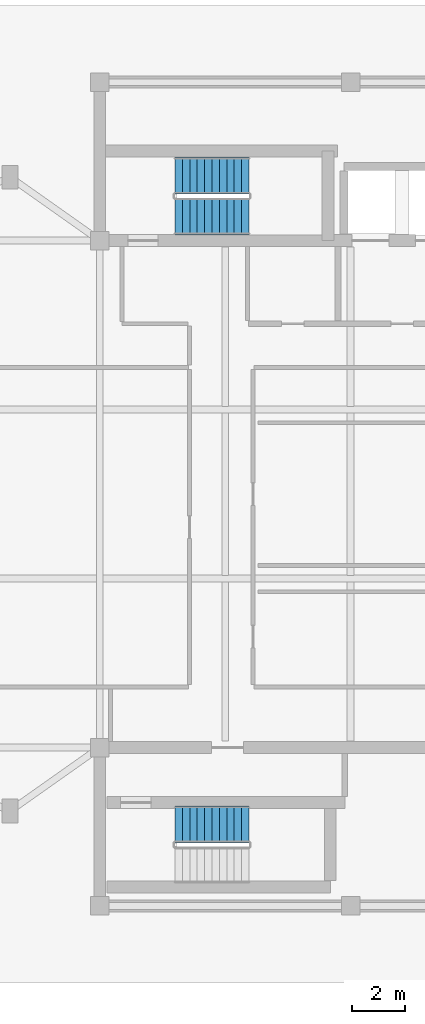
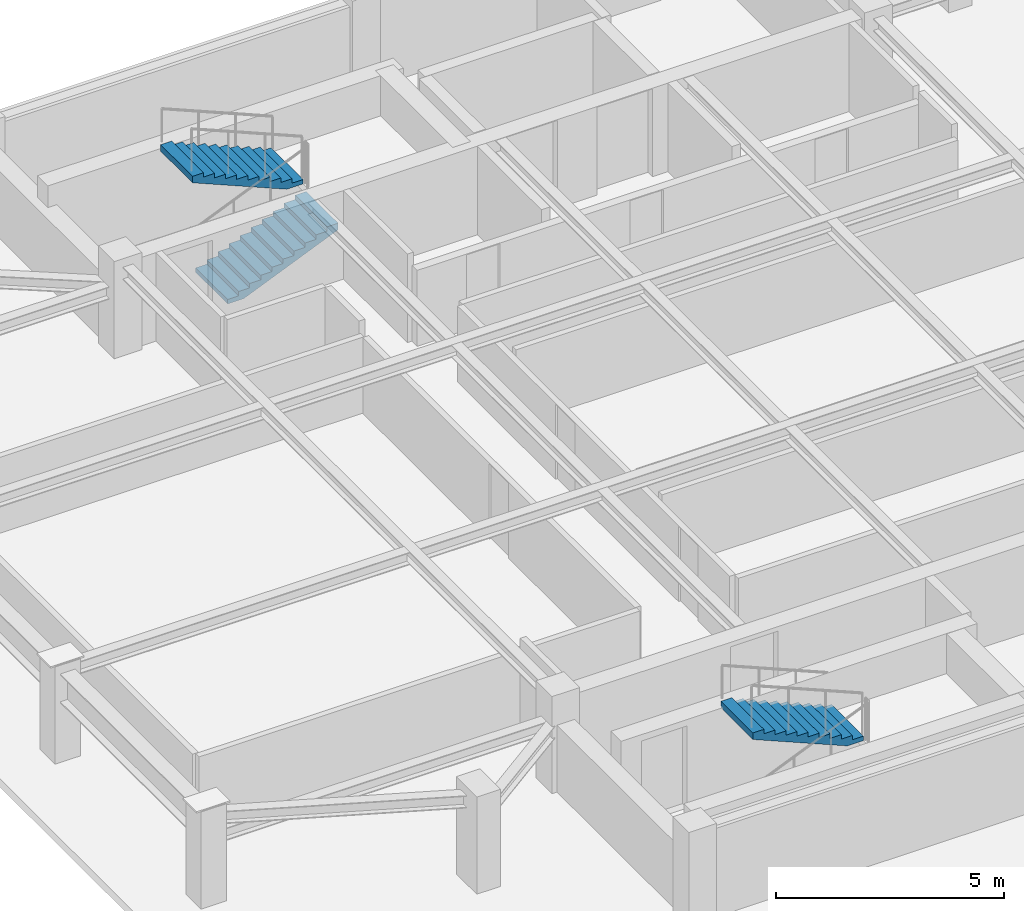
# One storey, part 3 of 4: 3 stair flights, 2 elements without a shape of their own.
"""IFC4 building model written with IfcOpenShell, lengths in metres."""

from ifc_helpers import new_model, si_unit, direction, frame, origin, place, context, subcontext, project, spatial, polyline, outline, extrude, material, type_object, element, aggregate, save


model = new_model("IFC4")

# Units and contexts
model_context = context("Model", 3, precision=1e-05, world=origin(), true_north=direction((0.0, 1.0)))
body_context = subcontext(model_context, "Body", "Model", "MODEL_VIEW")
ifc_project = project(units=[si_unit("LENGTHUNIT", "METRE"), si_unit("AREAUNIT", "SQUARE_METRE"), si_unit("VOLUMEUNIT", "CUBIC_METRE"), si_unit("PLANEANGLEUNIT", "RADIAN"), si_unit("MASSUNIT", "GRAM", prefix="KILO")], contexts=[model_context])

# Site, building, storey
site_placement = place(None, origin())
site = spatial("IfcSite", under=ifc_project, at=site_placement, CompositionType="ELEMENT")
building_placement = place(site_placement, origin())
building = spatial("IfcBuilding", under=site, at=building_placement, Name="Mirazonda Arch Towers", CompositionType="ELEMENT")
storey_placement = place(building_placement, frame((0.0, 0.0, 273.89990234375)))
storey = spatial("IfcBuildingStorey", under=building, at=storey_placement, Name="L79", CompositionType="ELEMENT", Elevation=273.89990234375)

# Stair, stair flights
ifc_material = material(Name="Concrete C40/50", Category="concrete")
stair_type = type_object("IfcStairType", Name="STAIR-CORE-1400", PredefinedType="HALF_TURN_STAIR", material=ifc_material)
stair_1_placement = place(storey_placement, origin())
stair_1 = element("IfcStair", 1, at=stair_1_placement, inside=storey, type_object=stair_type, Name="L79 Protected Exit Stair ST-T1N", PredefinedType="HALF_TURN_STAIR")
stair_flight_type = type_object("IfcStairFlightType", Name="FLIGHT-1400", PredefinedType="STRAIGHT", material=ifc_material)
stair_flight_1_placement = place(storey_placement, frame((13.85009765625, 38.52001953125, 0.0), z_axis=(0.0, 0.0, 1.0), x_axis=(1.0, 0.0, 0.0)))
stair_flight_1 = element("IfcStairFlight", 2, at=stair_flight_1_placement, type_object=stair_flight_type, Name="ST-T1N flight 1", NumberOfRisers=11, NumberOfTreads=10, PredefinedType="STRAIGHT", RiserHeight=0.118181818, TreadLength=0.28, context=body_context, shape_type="SweptSolid", body=[
    extrude(outline(polyline([(0.0, 0.0), (0.0, 0.1181640625), (0.280029296875, 0.1181640625), (0.280029296875, 0.236328125), (0.56005859375, 0.236328125), (0.56005859375, 0.3544921875), (0.840087890625, 0.3544921875), (0.840087890625, 0.47265625), (1.1201171875, 0.47265625), (1.1201171875, 0.5908203125), (1.39990234375, 0.5908203125), (1.39990234375, 0.708984375), (1.679931640625, 0.708984375), (1.679931640625, 0.827392578125), (1.9599609375, 0.827392578125), (1.9599609375, 0.945556640625), (2.239990234375, 0.945556640625), (2.239990234375, 1.063720703125), (2.52001953125, 1.063720703125), (2.52001953125, 1.181884765625), (2.800048828125, 1.181884765625), (2.800048828125, 1.300048828125), (2.800048828125, 1.00830078125), (0.4111328125, 0.0), (0.0, 0.0)])), frame((0.0, 0.699951171875, 0.0), z_axis=(0.0, -1.0, 0.0), x_axis=(1.0, 0.0, 0.0)), (0.0, 0.0, 1.0), 1.39990234375),
])
stair_flight_2_placement = place(storey_placement, frame((16.64990234375, 40.06005859375, 1.300048828125), z_axis=(0.0, 0.0, 1.0), x_axis=(-1.0, 0.0, 0.0)))
stair_flight_2 = element("IfcStairFlight", 3, at=stair_flight_2_placement, type_object=stair_flight_type, Name="ST-T1N flight 2", NumberOfRisers=11, NumberOfTreads=10, PredefinedType="STRAIGHT", RiserHeight=0.118181818, TreadLength=0.28, context=body_context, shape_type="SweptSolid", body=[
    extrude(outline(polyline([(0.0, 0.0), (0.0, 0.1181640625), (0.280029296875, 0.1181640625), (0.280029296875, 0.236328125), (0.56005859375, 0.236328125), (0.56005859375, 0.3544921875), (0.840087890625, 0.3544921875), (0.840087890625, 0.47265625), (1.1201171875, 0.47265625), (1.1201171875, 0.5908203125), (1.39990234375, 0.5908203125), (1.39990234375, 0.708984375), (1.679931640625, 0.708984375), (1.679931640625, 0.827392578125), (1.9599609375, 0.827392578125), (1.9599609375, 0.945556640625), (2.239990234375, 0.945556640625), (2.239990234375, 1.063720703125), (2.52001953125, 1.063720703125), (2.52001953125, 1.181884765625), (2.800048828125, 1.181884765625), (2.800048828125, 1.300048828125), (2.800048828125, 1.00830078125), (0.4111328125, 0.0), (0.0, 0.0)])), frame((0.0, 0.699951171875, 0.0), z_axis=(0.0, -1.0, 0.0), x_axis=(1.0, 0.0, 0.0)), (0.0, 0.0, 1.0), 1.39990234375),
])
aggregate(stair_1, [stair_flight_1, stair_flight_2])

# Stair, stair flight
stair_2_placement = place(storey_placement, origin())
stair_2 = element("IfcStair", 4, at=stair_2_placement, inside=storey, type_object=stair_type, Name="L79 Protected Exit Stair ST-T1S", PredefinedType="HALF_TURN_STAIR")
stair_flight_3_placement = place(storey_placement, frame((16.64990234375, 15.489990234375, 1.300048828125), z_axis=(0.0, 0.0, 1.0), x_axis=(-1.0, 0.0, 0.0)))
stair_flight_3 = element("IfcStairFlight", 5, at=stair_flight_3_placement, type_object=stair_flight_type, Name="ST-T1S flight 2", NumberOfRisers=11, NumberOfTreads=10, PredefinedType="STRAIGHT", RiserHeight=0.118181818, TreadLength=0.28, context=body_context, shape_type="SweptSolid", body=[
    extrude(outline(polyline([(0.0, 0.0), (0.0, 0.1181640625), (0.280029296875, 0.1181640625), (0.280029296875, 0.236328125), (0.56005859375, 0.236328125), (0.56005859375, 0.3544921875), (0.840087890625, 0.3544921875), (0.840087890625, 0.47265625), (1.1201171875, 0.47265625), (1.1201171875, 0.5908203125), (1.39990234375, 0.5908203125), (1.39990234375, 0.708984375), (1.679931640625, 0.708984375), (1.679931640625, 0.827392578125), (1.9599609375, 0.827392578125), (1.9599609375, 0.945556640625), (2.239990234375, 0.945556640625), (2.239990234375, 1.063720703125), (2.52001953125, 1.063720703125), (2.52001953125, 1.181884765625), (2.800048828125, 1.181884765625), (2.800048828125, 1.300048828125), (2.800048828125, 1.00830078125), (0.4111328125, 0.0), (0.0, 0.0)])), frame((0.0, 0.699951171875, 0.0), z_axis=(0.0, -1.0, 0.0), x_axis=(1.0, 0.0, 0.0)), (0.0, 0.0, 1.0), 1.39990234375),
])
aggregate(stair_2, [stair_flight_3])

save(model, "model.ifc")
